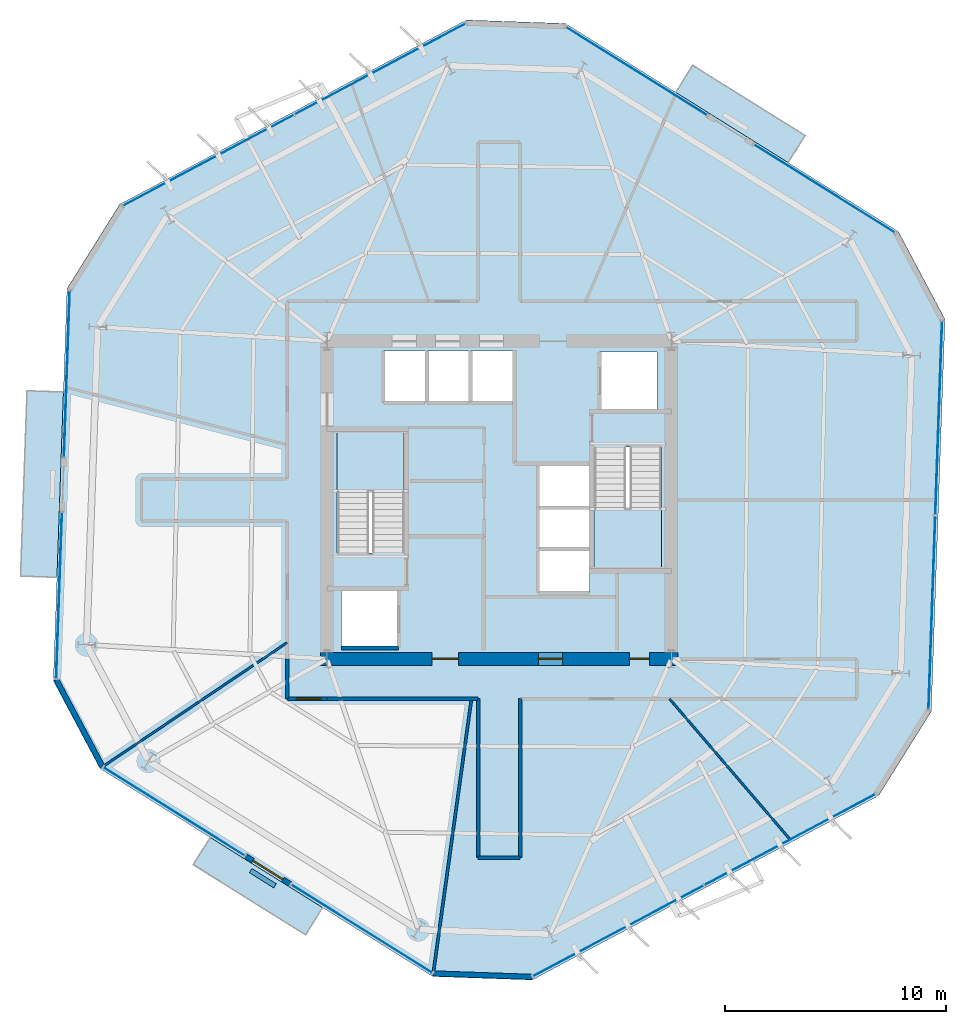
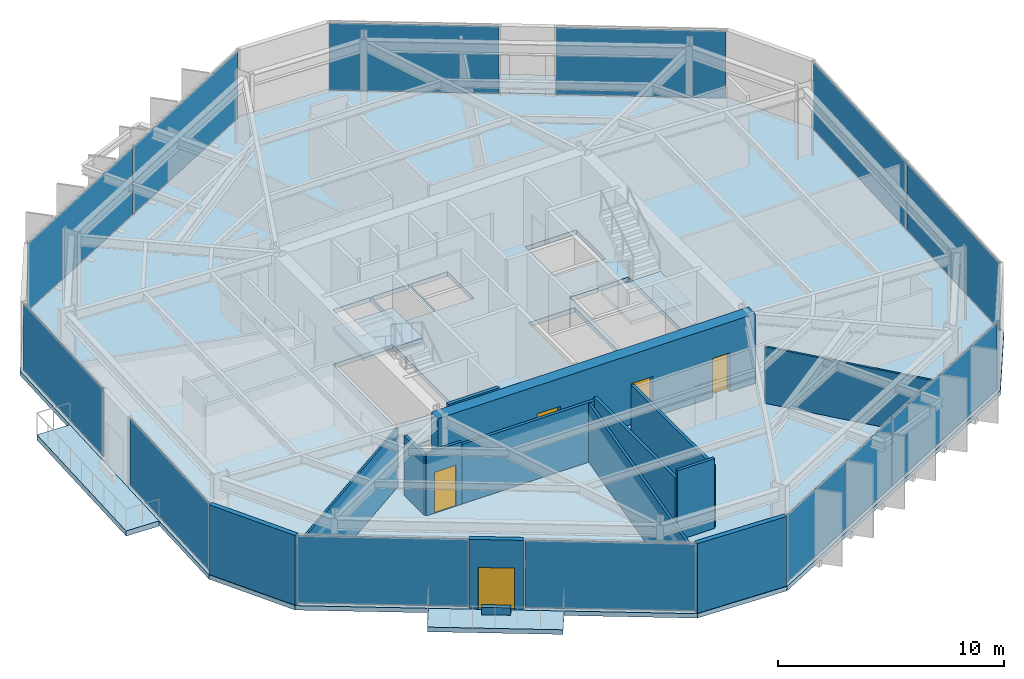
# One storey, part 6 of 12: 15 walls, 12 plates, 6 slabs, 5 doors, 5 openings, 11 elements without a shape of their own.
"""IFC4 building model written with IfcOpenShell, lengths in metres."""

from ifc_helpers import new_model, si_unit, direction, frame, frame_2d, origin, origin_2d, place, context, subcontext, project, spatial, polyline, rectangle, outline, extrude, material, layer, layer_set, type_object, element, fill, aggregate, save


model = new_model("IFC4")

# Units and contexts
model_context = context("Model", 3, precision=1e-05, world=origin(), true_north=direction((0.0, 1.0)))
body_context = subcontext(model_context, "Body", "Model", "MODEL_VIEW")
ifc_project = project(units=[si_unit("LENGTHUNIT", "METRE"), si_unit("AREAUNIT", "SQUARE_METRE"), si_unit("VOLUMEUNIT", "CUBIC_METRE"), si_unit("PLANEANGLEUNIT", "RADIAN"), si_unit("MASSUNIT", "GRAM", prefix="KILO")], contexts=[model_context])

# Site, building, storey
site_placement = place(None, origin())
site = spatial("IfcSite", under=ifc_project, at=site_placement, CompositionType="ELEMENT")
building_placement = place(site_placement, origin())
building = spatial("IfcBuilding", under=site, at=building_placement, Name="Kranzbogen Civic Tower", CompositionType="ELEMENT")
storey_placement = place(building_placement, frame((0.0, 0.0, 134.39990234375)))
storey = spatial("IfcBuildingStorey", under=building, at=storey_placement, Name="L32", CompositionType="ELEMENT", Elevation=134.39990234375)

# Slab
ifc_material_1 = material(Name="Concrete C40/50", Category="concrete")
ifc_layer_1 = layer(ifc_material_1, 0.239990234375, Name="Concrete C40/50")
ifc_layer_set_1 = layer_set([ifc_layer_1], Name="Concrete C40/50")
slab_type_1 = type_object("IfcSlabType", Name="Composite Lower Tower Floor Slab 240 mm", PredefinedType="FLOOR", material=ifc_layer_set_1)
slab_1_placement = place(storey_placement, frame((0.0, 0.0, -0.239990234375)))
element("IfcSlab", 1, at=slab_1_placement, inside=storey, type_object=slab_type_1, Name="L32 tower floor slab", PredefinedType="FLOOR", context=body_context, shape_type="SweptSolid", body=[
    extrude(outline(polyline([(43.0859375, 37.1650390625), (28.0048828125, 46.587890625), (23.508056640625, 46.7451171875), (7.806884765625, 38.39599609375), (5.422119140625, 34.580078125), (4.802001953125, 16.80908203125), (6.9140625, 12.8349609375), (21.9951171875, 3.412109375), (26.491943359375, 3.2548828125), (42.193115234375, 11.60400390625), (44.577880859375, 15.419921875), (45.197998046875, 33.19091796875), (43.0859375, 37.1650390625)]), holes=[polyline([(20.449951171875, 20.89990234375), (20.449951171875, 18.300048828125), (17.85009765625, 18.300048828125), (17.85009765625, 20.89990234375), (20.449951171875, 20.89990234375)]), polyline([(29.10009765625, 22.699951171875), (29.10009765625, 20.800048828125), (26.75, 20.800048828125), (26.75, 22.699951171875), (29.10009765625, 22.699951171875)]), polyline([(29.10009765625, 24.64990234375), (29.10009765625, 22.77490234375), (26.75, 22.77490234375), (26.75, 24.64990234375), (26.75, 24.675048828125), (26.75, 26.550048828125), (29.10009765625, 26.550048828125), (29.10009765625, 24.675048828125), (29.10009765625, 24.64990234375)]), polyline([(30.75, 27.340087890625), (30.75, 27.39990234375), (32.35009765625, 27.39990234375), (32.35009765625, 21.89990234375), (29.300048828125, 21.89990234375), (29.300048828125, 27.340087890625), (30.75, 27.340087890625)]), polyline([(19.25, 22.659912109375), (19.25, 22.60009765625), (17.64990234375, 22.60009765625), (17.64990234375, 28.10009765625), (20.699951171875, 28.10009765625), (20.699951171875, 22.659912109375), (19.25, 22.659912109375)]), polyline([(32.14990234375, 31.699951171875), (32.14990234375, 29.10009765625), (29.550048828125, 29.10009765625), (29.550048828125, 31.699951171875), (32.14990234375, 31.699951171875)]), polyline([(21.64990234375, 31.75), (21.64990234375, 29.39990234375), (19.75, 29.39990234375), (19.75, 31.75), (21.64990234375, 31.75)]), polyline([(23.625, 29.39990234375), (21.72509765625, 29.39990234375), (21.72509765625, 31.75), (23.625, 31.75), (23.625, 29.39990234375)]), polyline([(25.60009765625, 29.39990234375), (23.699951171875, 29.39990234375), (23.699951171875, 31.75), (25.60009765625, 31.75), (25.60009765625, 29.39990234375)])]), origin(), (0.0, 0.0, 1.0), 0.239990234375),
])

# Curtain wall, plate
ifc_material_2 = material(Name="Pale Anodised Aluminium", Category="aluminium")
ifc_layer_2 = layer(ifc_material_2, 0.219970703125, Name="Pale Anodised Aluminium")
ifc_layer_set_2 = layer_set([ifc_layer_2], Name="Pale Anodised Aluminium")
curtain_wall_type = type_object("IfcCurtainWallType", Name="Zone 2 Stick Curtain Wall System CW-03", PredefinedType="USERDEFINED", material=ifc_layer_set_2)
curtain_wall_1_placement = place(storey_placement, origin())
curtain_wall_1 = element("IfcCurtainWall", 2, at=curtain_wall_1_placement, inside=storey, type_object=curtain_wall_type, Name="L32 curtain wall CW-L32-F1-S1", ObjectType="STICK CURTAIN WALL", PredefinedType="USERDEFINED")
ifc_material_3 = material(Name="Low-E Triple Glazing Glass", Category="glass")
ifc_layer_3 = layer(ifc_material_3, 0.031982421875, Name="Low-E Triple Glazing Glass")
ifc_layer_set_3 = layer_set([ifc_layer_3], Name="Low-E Triple Glazing Glass")
plate_type = type_object("IfcPlateType", Name="Insulated Low-E Glazing Panel 32 mm", PredefinedType="CURTAIN_PANEL", material=ifc_layer_set_3)
plate_1_placement = place(storey_placement, frame((39.73291015625, 39.109619140625, 0.06005859375), z_axis=(0.0, 0.0, 1.0), x_axis=(-0.848071889421, 0.529881185148, 0.0)))
plate_1 = element("IfcPlate", 3, at=plate_1_placement, type_object=plate_type, Name="CW-03 panel 1.1", PredefinedType="CURTAIN_PANEL", context=body_context, shape_type="SweptSolid", body=[
    extrude(rectangle(XDim=7.513671875, YDim=0.028076171875, at=origin_2d()), origin(), (0.0, 0.0, 1.0), 3.639892578125),
])
aggregate(curtain_wall_1, [plate_1])

curtain_wall_2_placement = place(storey_placement, origin())
curtain_wall_2 = element("IfcCurtainWall", 4, at=curtain_wall_2_placement, inside=storey, type_object=curtain_wall_type, Name="L32 curtain wall CW-L32-F1-S2", ObjectType="STICK CURTAIN WALL", PredefinedType="USERDEFINED")
plate_2_placement = place(storey_placement, frame((31.223388671875, 44.426513671875, 0.06005859375), z_axis=(0.0, 0.0, 1.0), x_axis=(-0.84810866373, 0.529822323525, 0.0)))
plate_2 = element("IfcPlate", 5, at=plate_2_placement, type_object=plate_type, Name="CW-03 panel 1.1", PredefinedType="CURTAIN_PANEL", context=body_context, shape_type="SweptSolid", body=[
    extrude(rectangle(XDim=7.5146484375, YDim=0.028076171875, at=origin_2d()), origin(), (0.0, 0.0, 1.0), 3.639892578125),
])
aggregate(curtain_wall_2, [plate_2])

# Curtain wall, plates
curtain_wall_3_placement = place(storey_placement, origin())
curtain_wall_3 = element("IfcCurtainWall", 6, at=curtain_wall_3_placement, inside=storey, type_object=curtain_wall_type, Name="L32 curtain wall CW-L32-F2", ObjectType="STICK CURTAIN WALL", PredefinedType="USERDEFINED")
plate_3_placement = place(storey_placement, frame((19.6044921875, 44.524169921875, 0.06005859375), z_axis=(0.0, 0.0, 1.0), x_axis=(-0.882952257691, -0.469462789408, 0.0)))
plate_3 = element("IfcPlate", 7, at=plate_3_placement, type_object=plate_type, Name="CW-03 panel 1.1", PredefinedType="CURTAIN_PANEL", context=body_context, shape_type="SweptSolid", body=[
    extrude(rectangle(XDim=8.74462890625, YDim=0.028076171875, at=origin_2d()), origin(), (0.0, 0.0, 1.0), 3.639892578125),
])
plate_4_placement = place(storey_placement, frame((11.83056640625, 40.390869140625, 0.06005859375), z_axis=(0.0, 0.0, 1.0), x_axis=(-0.882952257691, -0.469462789408, 0.0)))
plate_4 = element("IfcPlate", 8, at=plate_4_placement, type_object=plate_type, Name="CW-03 panel 2.1", PredefinedType="CURTAIN_PANEL", context=body_context, shape_type="SweptSolid", body=[
    extrude(rectangle(XDim=8.74462890625, YDim=0.028076171875, at=origin_2d()), origin(), (0.0, 0.0, 1.0), 3.639892578125),
])
aggregate(curtain_wall_3, [plate_3, plate_4])

# Curtain wall, plate
curtain_wall_4_placement = place(storey_placement, origin())
curtain_wall_4 = element("IfcCurtainWall", 9, at=curtain_wall_4_placement, inside=storey, type_object=curtain_wall_type, Name="L32 curtain wall CW-L32-F3-S1", ObjectType="STICK CURTAIN WALL", PredefinedType="USERDEFINED")
plate_5_placement = place(storey_placement, frame((5.4150390625, 30.70361328125, 0.06005859375), z_axis=(0.0, 0.0, 1.0), x_axis=(-0.034845780392, -0.999392701389, 0.0)))
plate_5 = element("IfcPlate", 10, at=plate_5_placement, type_object=plate_type, Name="CW-03 panel 1.1", PredefinedType="CURTAIN_PANEL", context=body_context, shape_type="SweptSolid", body=[
    extrude(rectangle(XDim=7.513671875, YDim=0.028076171875, at=origin_2d()), origin(), (0.0, 0.0, 1.0), 3.639892578125),
])
aggregate(curtain_wall_4, [plate_5])

curtain_wall_5_placement = place(storey_placement, origin())
curtain_wall_5 = element("IfcCurtainWall", 11, at=curtain_wall_5_placement, inside=storey, type_object=curtain_wall_type, Name="L32 curtain wall CW-L32-F3-S2", ObjectType="STICK CURTAIN WALL", PredefinedType="USERDEFINED")
plate_6_placement = place(storey_placement, frame((5.06494140625, 20.676025390625, 0.06005859375), z_axis=(0.0, 0.0, 1.0), x_axis=(-0.034850342982, -0.999392542295, 0.0)))
plate_6 = element("IfcPlate", 12, at=plate_6_placement, type_object=plate_type, Name="CW-03 panel 1.1", PredefinedType="CURTAIN_PANEL", context=body_context, shape_type="SweptSolid", body=[
    extrude(rectangle(XDim=7.5126953125, YDim=0.028076171875, at=origin_2d()), origin(), (0.0, 0.0, 1.0), 3.639892578125),
])
aggregate(curtain_wall_5, [plate_6])

curtain_wall_6_placement = place(storey_placement, origin())
curtain_wall_6 = element("IfcCurtainWall", 13, at=curtain_wall_6_placement, inside=storey, type_object=curtain_wall_type, Name="L32 curtain wall CW-L32-F4-S1", ObjectType="STICK CURTAIN WALL", PredefinedType="USERDEFINED")
plate_7_placement = place(storey_placement, frame((10.26708984375, 10.890380859375, 0.06005859375), z_axis=(0.0, 0.0, 1.0), x_axis=(0.848071889421, -0.529881185148, 0.0)))
plate_7 = element("IfcPlate", 14, at=plate_7_placement, type_object=plate_type, Name="CW-03 panel 1.1", PredefinedType="CURTAIN_PANEL", context=body_context, shape_type="SweptSolid", body=[
    extrude(rectangle(XDim=7.513671875, YDim=0.028076171875, at=origin_2d()), origin(), (0.0, 0.0, 1.0), 3.639892578125),
])
aggregate(curtain_wall_6, [plate_7])

curtain_wall_7_placement = place(storey_placement, origin())
curtain_wall_7 = element("IfcCurtainWall", 15, at=curtain_wall_7_placement, inside=storey, type_object=curtain_wall_type, Name="L32 curtain wall CW-L32-F4-S2", ObjectType="STICK CURTAIN WALL", PredefinedType="USERDEFINED")
plate_8_placement = place(storey_placement, frame((18.776611328125, 5.573486328125, 0.06005859375), z_axis=(0.0, 0.0, 1.0), x_axis=(0.84810866373, -0.529822323525, 0.0)))
plate_8 = element("IfcPlate", 16, at=plate_8_placement, type_object=plate_type, Name="CW-03 panel 1.1", PredefinedType="CURTAIN_PANEL", context=body_context, shape_type="SweptSolid", body=[
    extrude(rectangle(XDim=7.5146484375, YDim=0.028076171875, at=origin_2d()), origin(), (0.0, 0.0, 1.0), 3.639892578125),
])
aggregate(curtain_wall_7, [plate_8])

# Curtain wall, plates
curtain_wall_8_placement = place(storey_placement, origin())
curtain_wall_8 = element("IfcCurtainWall", 17, at=curtain_wall_8_placement, inside=storey, type_object=curtain_wall_type, Name="L32 curtain wall CW-L32-F5", ObjectType="STICK CURTAIN WALL", PredefinedType="USERDEFINED")
plate_9_placement = place(storey_placement, frame((30.3955078125, 5.475830078125, 0.06005859375), z_axis=(0.0, 0.0, 1.0), x_axis=(0.882952257691, 0.469462789408, 0.0)))
plate_9 = element("IfcPlate", 18, at=plate_9_placement, type_object=plate_type, Name="CW-03 panel 1.1", PredefinedType="CURTAIN_PANEL", context=body_context, shape_type="SweptSolid", body=[
    extrude(rectangle(XDim=8.74462890625, YDim=0.028076171875, at=origin_2d()), origin(), (0.0, 0.0, 1.0), 3.639892578125),
])
plate_10_placement = place(storey_placement, frame((38.16943359375, 9.609130859375, 0.06005859375), z_axis=(0.0, 0.0, 1.0), x_axis=(0.882952257691, 0.469462789408, 0.0)))
plate_10 = element("IfcPlate", 19, at=plate_10_placement, type_object=plate_type, Name="CW-03 panel 2.1", PredefinedType="CURTAIN_PANEL", context=body_context, shape_type="SweptSolid", body=[
    extrude(rectangle(XDim=8.74462890625, YDim=0.028076171875, at=origin_2d()), origin(), (0.0, 0.0, 1.0), 3.639892578125),
])
aggregate(curtain_wall_8, [plate_9, plate_10])

curtain_wall_9_placement = place(storey_placement, origin())
curtain_wall_9 = element("IfcCurtainWall", 20, at=curtain_wall_9_placement, inside=storey, type_object=curtain_wall_type, Name="L32 curtain wall CW-L32-F6", ObjectType="STICK CURTAIN WALL", PredefinedType="USERDEFINED")
plate_11_placement = place(storey_placement, frame((44.6064453125, 19.910888671875, 0.06005859375), z_axis=(0.0, 0.0, 1.0), x_axis=(0.034867774782, 0.999391934269, 0.0)))
plate_11 = element("IfcPlate", 21, at=plate_11_placement, type_object=plate_type, Name="CW-03 panel 1.1", PredefinedType="CURTAIN_PANEL", context=body_context, shape_type="SweptSolid", body=[
    extrude(rectangle(XDim=8.743408203125, YDim=0.028076171875, at=origin_2d()), origin(), (0.0, 0.0, 1.0), 3.639892578125),
])
plate_12_placement = place(storey_placement, frame((44.91357421875, 28.708984375, 0.06005859375), z_axis=(0.0, 0.0, 1.0), x_axis=(0.034867774782, 0.999391934269, 0.0)))
plate_12 = element("IfcPlate", 22, at=plate_12_placement, type_object=plate_type, Name="CW-03 panel 2.1", PredefinedType="CURTAIN_PANEL", context=body_context, shape_type="SweptSolid", body=[
    extrude(rectangle(XDim=8.743408203125, YDim=0.028076171875, at=origin_2d()), origin(), (0.0, 0.0, 1.0), 3.639892578125),
])
aggregate(curtain_wall_9, [plate_11, plate_12])

# Stair, slab
ifc_material_4 = material(Name="Precast concrete C40/50", Category="concrete")
stair_type_1 = type_object("IfcStairType", Name="Tower Core Pressurized Dogleg Stair 1450", PredefinedType="HALF_TURN_STAIR", material=ifc_material_4)
stair_1_placement = place(storey_placement, origin())
stair_1 = element("IfcStair", 23, at=stair_1_placement, inside=storey, type_object=stair_type_1, Name="L32 Tower Core Pressurized Stair 1", PredefinedType="HALF_TURN_STAIR")
ifc_layer_4 = layer(ifc_material_4, 0.199951171875, Name="Precast concrete C40/50")
ifc_layer_set_4 = layer_set([ifc_layer_4], Name="Precast concrete C40/50")
slab_type_2 = type_object("IfcSlabType", Name="Precast Concrete Stair Landing Slab 200 mm", PredefinedType="LANDING", material=ifc_layer_set_4)
slab_2_placement = place(storey_placement, frame((0.0, 0.0, 1.800048828125)))
slab_2 = element("IfcSlab", 24, at=slab_2_placement, type_object=slab_type_2, Name="ST-T1 landing 1", PredefinedType="LANDING", context=body_context, shape_type="SweptSolid", body=[
    extrude(outline(polyline([(20.699951171875, 25.39990234375), (20.699951171875, 28.10009765625), (17.64990234375, 28.10009765625), (17.64990234375, 25.39990234375), (20.699951171875, 25.39990234375)])), origin(), (0.0, 0.0, 1.0), 0.199951171875),
])
aggregate(stair_1, [slab_2])

stair_type_2 = type_object("IfcStairType", Name="Tower Core Secondary Dogleg Stair 1450", PredefinedType="HALF_TURN_STAIR", material=ifc_material_4)
stair_2_placement = place(storey_placement, origin())
stair_2 = element("IfcStair", 25, at=stair_2_placement, inside=storey, type_object=stair_type_2, Name="L32 Tower Core Pressurized Stair 2", PredefinedType="HALF_TURN_STAIR")
slab_3_placement = place(storey_placement, frame((0.0, 0.0, 1.800048828125)))
slab_3 = element("IfcSlab", 26, at=slab_3_placement, type_object=slab_type_2, Name="ST-T2 landing 1", PredefinedType="LANDING", context=body_context, shape_type="SweptSolid", body=[
    extrude(outline(polyline([(29.300048828125, 24.60009765625), (29.300048828125, 21.89990234375), (32.35009765625, 21.89990234375), (32.35009765625, 24.60009765625), (29.300048828125, 24.60009765625)])), origin(), (0.0, 0.0, 1.0), 0.199951171875),
])
aggregate(stair_2, [slab_3])

# Slabs
ifc_layer_5 = layer(ifc_material_1, 0.280029296875, Name="Concrete C40/50")
ifc_layer_set_5 = layer_set([ifc_layer_5], Name="Concrete C40/50")
slab_type_3 = type_object("IfcSlabType", Name="Spiral Terrace Cantilevered Slab 280 mm", PredefinedType="FLOOR", material=ifc_layer_set_5)
slab_4_placement = place(storey_placement, frame((0.0, 0.0, -0.27978515625)))
element("IfcSlab", 27, at=slab_4_placement, inside=storey, type_object=slab_type_3, Name="L32 cantilevered spiral terrace L32-ST", PredefinedType="FLOOR", context=body_context, shape_type="SweptSolid", body=[
    extrude(outline(polyline([(5.259033203125, 29.89208984375), (4.966064453125, 21.4970703125), (3.31689453125, 21.554931640625), (3.610107421875, 29.949951171875), (5.259033203125, 29.89208984375)])), origin(), (0.0, 0.0, 1.0), 0.27978515625),
])
ifc_layer_6 = layer(ifc_material_1, 0.25, Name="Concrete C40/50")
ifc_layer_set_6 = layer_set([ifc_layer_6], Name="Concrete C40/50")
slab_type_4 = type_object("IfcSlabType", Name="Tree Balcony Cantilevered Slab 250 mm", PredefinedType="FLOOR", material=ifc_layer_set_6)
slab_5_placement = place(storey_placement, frame((0.0, 0.0, -0.25)))
element("IfcSlab", 28, at=slab_5_placement, inside=storey, type_object=slab_type_4, Name="L32 cantilevered tree balcony L32-TB1", PredefinedType="FLOOR", context=body_context, shape_type="SweptSolid", body=[
    extrude(outline(polyline([(38.090087890625, 40.285888671875), (33.0009765625, 43.466064453125), (33.76904296875, 44.696044921875), (38.85791015625, 41.51611328125), (38.090087890625, 40.285888671875)])), origin(), (0.0, 0.0, 1.0), 0.25),
])
slab_6_placement = place(storey_placement, frame((0.0, 0.0, -0.25)))
element("IfcSlab", 29, at=slab_6_placement, inside=storey, type_object=slab_type_4, Name="L32 cantilevered tree balcony L32-TB2", PredefinedType="FLOOR", context=body_context, shape_type="SweptSolid", body=[
    extrude(outline(polyline([(11.909912109375, 9.714111328125), (16.9990234375, 6.533935546875), (16.23095703125, 5.303955078125), (11.14208984375, 8.48388671875), (11.909912109375, 9.714111328125)])), origin(), (0.0, 0.0, 1.0), 0.25),
])

# Wall, opening, door
ifc_material_5 = material(Name="Double-Stud Acoustic Gypsum Partition")
ifc_layer_7 = layer(ifc_material_5, 0.14990234375, Name="Double-Stud Acoustic Gypsum Partition")
ifc_layer_set_7 = layer_set([ifc_layer_7], Name="Double-Stud Acoustic Gypsum Partition")
wall_type_1 = type_object("IfcWallType", Name="Acoustic Corridor and Clinical Partition 150 mm", PredefinedType="PARTITIONING", material=ifc_layer_set_7)
wall_1_placement = place(storey_placement, frame((17.199951171875, 16.0, 0.0), z_axis=(0.0, 0.0, 1.0), x_axis=(-1.0, 0.0, 0.0)))
wall_1 = element("IfcWall", 30, at=wall_1_placement, inside=storey, type_object=wall_type_1, Name="L32 corridor partition 01", PredefinedType="PARTITIONING", context=body_context, shape_type="SweptSolid", body=[
    extrude(rectangle(XDim=1.800048828125, YDim=0.14990234375, at=frame_2d((0.89990234375, 0.0))), origin(), (0.0, 0.0, 1.0), 3.360107421875),
])
opening_1_placement = place(wall_1_placement, frame((0.287109375, 0.0, 0.0)))
opening_1 = element("IfcOpeningElement", 31, at=opening_1_placement, cuts=wall_1, Name="Opening D-COR60", PredefinedType="OPENING", context=body_context, shape_type="SweptSolid", body=[
    extrude(rectangle(XDim=1.10009765625, YDim=2.199951171875, at=frame_2d((0.550048828125, 1.10009765625))), frame((0.0, 0.0849609375, 0.0), z_axis=(0.0, -1.0, 0.0), x_axis=(1.0, 0.0, 0.0)), (0.0, 0.0, 1.0), 0.169921875),
])
ifc_material_6 = material(Name="Oak Timber and Fire Core", Category="wood")
door_type_1 = type_object("IfcDoorType", Name="Corridor Acoustic Fire Door 1100x2200", OperationType="NOTDEFINED", PredefinedType="DOOR", material=ifc_material_6)
door_1_placement = place(opening_1_placement, origin())
door_1 = element("IfcDoor", 32, at=door_1_placement, inside=storey, type_object=door_type_1, Name="L32 Parliamentary Review Boardroom door", OperationType="SINGLE_SWING_RIGHT", OverallHeight=2.199951171875, OverallWidth=1.10009765625, PredefinedType="DOOR", context=body_context, shape_type="SweptSolid", body=[
    extrude(rectangle(XDim=1.10009765625, YDim=2.199951171875, at=frame_2d((0.550048828125, 1.10009765625))), frame((0.0, 0.02490234375, 0.0), z_axis=(0.0, -1.0, 0.0), x_axis=(1.0, 0.0, 0.0)), (0.0, 0.0, 1.0), 0.050048828125),
])
fill(opening_1, door_1)

# Walls
wall_2_placement = place(storey_placement, frame((15.39990234375, 16.0, 0.0), z_axis=(0.0, 0.0, 1.0), x_axis=(0.0, 1.0, 0.0)))
element("IfcWall", 33, at=wall_2_placement, inside=storey, type_object=wall_type_1, Name="L32 corridor partition 02", PredefinedType="PARTITIONING", context=body_context, shape_type="SweptSolid", body=[
    extrude(rectangle(XDim=1.800048828125, YDim=0.14990234375, at=frame_2d((0.89990234375, 0.0))), origin(), (0.0, 0.0, 1.0), 3.210205078125),
])
wall_3_placement = place(storey_placement, frame((25.949951171875, 16.0, 0.0), z_axis=(0.0, 0.0, 1.0), x_axis=(0.0, -1.0, 0.0)))
element("IfcWall", 34, at=wall_3_placement, inside=storey, type_object=wall_type_1, Name="L32 corridor partition 20", PredefinedType="PARTITIONING", context=body_context, shape_type="SweptSolid", body=[
    extrude(rectangle(XDim=7.199951171875, YDim=0.14990234375, at=frame_2d((3.60009765625, 0.0))), origin(), (0.0, 0.0, 1.0), 3.360107421875),
])
wall_4_placement = place(storey_placement, frame((25.949951171875, 8.800048828125, 0.0), z_axis=(0.0, 0.0, 1.0), x_axis=(-1.0, 0.0, 0.0)))
element("IfcWall", 35, at=wall_4_placement, inside=storey, type_object=wall_type_1, Name="L32 corridor partition 21", PredefinedType="PARTITIONING", context=body_context, shape_type="SweptSolid", body=[
    extrude(rectangle(XDim=1.89990234375, YDim=0.14990234375, at=frame_2d((0.949951171875, 0.0))), origin(), (0.0, 0.0, 1.0), 3.760009765625),
])
wall_5_placement = place(storey_placement, frame((24.050048828125, 8.800048828125, 0.0), z_axis=(0.0, 0.0, 1.0), x_axis=(0.0, 1.0, 0.0)))
element("IfcWall", 36, at=wall_5_placement, inside=storey, type_object=wall_type_1, Name="L32 corridor partition 22", PredefinedType="PARTITIONING", context=body_context, shape_type="SweptSolid", body=[
    extrude(rectangle(XDim=7.199951171875, YDim=0.14990234375, at=frame_2d((3.60009765625, 0.0))), origin(), (0.0, 0.0, 1.0), 3.360107421875),
])
wall_6_placement = place(storey_placement, frame((24.050048828125, 16.0, 0.0), z_axis=(0.0, 0.0, 1.0), x_axis=(-1.0, 0.0, 0.0)))
element("IfcWall", 37, at=wall_6_placement, inside=storey, type_object=wall_type_1, Name="L32 corridor partition 23", PredefinedType="PARTITIONING", context=body_context, shape_type="SweptSolid", body=[
    extrude(rectangle(XDim=6.85009765625, YDim=0.14990234375, at=frame_2d((3.425048828125, 0.0))), origin(), (0.0, 0.0, 1.0), 3.210205078125),
])
ifc_material_7 = material(Name="Insulated Metal-Stud Gypsum Partition")
ifc_layer_8 = layer(ifc_material_7, 0.125, Name="Insulated Metal-Stud Gypsum Partition")
ifc_layer_set_8 = layer_set([ifc_layer_8], Name="Insulated Metal-Stud Gypsum Partition")
wall_type_2 = type_object("IfcWallType", Name="Acoustic Inter-Room Partition 125 mm", PredefinedType="PARTITIONING", material=ifc_layer_set_8)
wall_7_placement = place(storey_placement, frame((23.7470703125, 16.0, 0.0), z_axis=(0.0, 0.0, 1.0), x_axis=(-0.137839255744, -0.990454612577, 0.0)))
element("IfcWall", 38, at=wall_7_placement, inside=storey, type_object=wall_type_2, Name="L32 radial room partition 05", PredefinedType="PARTITIONING", context=body_context, shape_type="SweptSolid", body=[
    extrude(rectangle(XDim=12.55078125, YDim=0.125, at=frame_2d((6.275390625, 0.0))), origin(), (0.0, 0.0, 1.0), 3.16015625),
])
ifc_material_8 = material(Name="Architectural Precast Terracotta Concrete C40/50", Category="masonry")
ifc_layer_9 = layer(ifc_material_8, 0.219970703125, Name="Architectural Precast Terracotta Concrete C40/50")
ifc_layer_set_9 = layer_set([ifc_layer_9], Name="Architectural Precast Terracotta Concrete C40/50")
wall_type_3 = type_object("IfcWallType", Name="Architectural Tree Planter Kerb Wall 220 mm", PredefinedType="USERDEFINED", material=ifc_layer_set_9)
wall_8_placement = place(storey_placement, frame((13.741943359375, 8.2099609375, 0.0), z_axis=(0.0, 0.0, 1.0), x_axis=(0.848272680747, -0.52955968417, 0.0)))
element("IfcWall", 39, at=wall_8_placement, inside=storey, type_object=wall_type_3, Name="L32 landscaped tree balcony planter L32-TB2", ObjectType="PLANTER_WALL", PredefinedType="USERDEFINED", context=body_context, shape_type="SweptSolid", body=[
    extrude(rectangle(XDim=1.299072265625, YDim=0.219970703125, at=frame_2d((0.6494140625, 0.0))), origin(), (0.0, 0.0, 1.0), 0.400146484375),
])

# Wall, openings, doors
ifc_material_9 = material(Name="Concrete C55/67", Category="concrete")
ifc_layer_10 = layer(ifc_material_9, 0.60009765625, Name="Concrete C55/67")
ifc_layer_set_10 = layer_set([ifc_layer_10], Name="Concrete C55/67")
wall_type_4 = type_object("IfcWallType", Name="Central Core Shear Wall 600 mm", PredefinedType="SHEAR", material=ifc_layer_set_10)
wall_9_placement = place(storey_placement, frame((16.89990234375, 17.800048828125, 0.0), z_axis=(0.0, 0.0, 1.0), x_axis=(1.0, 0.0, 0.0)))
wall_9 = element("IfcWall", 40, at=wall_9_placement, inside=storey, type_object=wall_type_4, Name="L32 central core South shear wall", PredefinedType="SHEAR", context=body_context, shape_type="SweptSolid", body=[
    extrude(rectangle(XDim=16.2001953125, YDim=0.60009765625, at=frame_2d((8.10009765625, 0.0))), origin(), (0.0, 0.0, 1.0), 3.760009765625),
])
opening_2_placement = place(wall_9_placement, frame((5.050048828125, 0.0, 0.0)))
opening_2 = element("IfcOpeningElement", 41, at=opening_2_placement, cuts=wall_9, Name="Opening D-EX120", PredefinedType="OPENING", context=body_context, shape_type="SweptSolid", body=[
    extrude(rectangle(XDim=1.199951171875, YDim=2.25, at=frame_2d((0.60009765625, 1.125))), frame((0.0, 0.31005859375, 0.0), z_axis=(0.0, -1.0, 0.0), x_axis=(1.0, 0.0, 0.0)), (0.0, 0.0, 1.0), 0.6201171875),
])
opening_3_placement = place(wall_9_placement, frame((14.0, 0.0, 0.0)))
opening_3 = element("IfcOpeningElement", 42, at=opening_3_placement, cuts=wall_9, Name="Opening D-WC90", PredefinedType="OPENING", context=body_context, shape_type="SweptSolid", body=[
    extrude(rectangle(XDim=0.89990234375, YDim=2.10009765625, at=frame_2d((0.449951171875, 1.050048828125))), frame((0.0, 0.31005859375, 0.0), z_axis=(0.0, -1.0, 0.0), x_axis=(1.0, 0.0, 0.0)), (0.0, 0.0, 1.0), 0.6201171875),
])
opening_4_placement = place(wall_9_placement, frame((9.875, 0.0, 0.0)))
opening_4 = element("IfcOpeningElement", 43, at=opening_4_placement, cuts=wall_9, Name="Opening D-COR60", PredefinedType="OPENING", context=body_context, shape_type="SweptSolid", body=[
    extrude(rectangle(XDim=1.10009765625, YDim=2.199951171875, at=frame_2d((0.550048828125, 1.10009765625))), frame((0.0, 0.31005859375, 0.0), z_axis=(0.0, -1.0, 0.0), x_axis=(1.0, 0.0, 0.0)), (0.0, 0.0, 1.0), 0.6201171875),
])
door_2_placement = place(opening_4_placement, origin())
door_2 = element("IfcDoor", 44, at=door_2_placement, inside=storey, type_object=door_type_1, Name="L32 REC1 archive room door", OperationType="SINGLE_SWING_RIGHT", OverallHeight=2.199951171875, OverallWidth=1.10009765625, PredefinedType="DOOR", context=body_context, shape_type="SweptSolid", body=[
    extrude(rectangle(XDim=1.10009765625, YDim=2.199951171875, at=frame_2d((0.550048828125, 1.10009765625))), frame((0.0, 0.02490234375, 0.0), z_axis=(0.0, -1.0, 0.0), x_axis=(1.0, 0.0, 0.0)), (0.0, 0.0, 1.0), 0.050048828125),
])
fill(opening_4, door_2)
ifc_material_10 = material(Name="Steel S355", Category="steel")
door_type_2 = type_object("IfcDoorType", Name="Exit Passageway Fire Door 1200x2250", OperationType="NOTDEFINED", PredefinedType="DOOR", material=ifc_material_10)
door_3_placement = place(opening_2_placement, origin())
door_3 = element("IfcDoor", 45, at=door_3_placement, inside=storey, type_object=door_type_2, Name="L32 West firefighting lobby corridor door", OperationType="SINGLE_SWING_LEFT", OverallHeight=2.25, OverallWidth=1.199951171875, PredefinedType="DOOR", context=body_context, shape_type="SweptSolid", body=[
    extrude(rectangle(XDim=1.199951171875, YDim=2.25, at=frame_2d((0.60009765625, 1.125))), frame((0.0, 0.02490234375, 0.0), z_axis=(0.0, -1.0, 0.0), x_axis=(1.0, 0.0, 0.0)), (0.0, 0.0, 1.0), 0.050048828125),
])
fill(opening_2, door_3)
ifc_material_11 = material(Name="Moisture-Resistant Laminate")
door_type_3 = type_object("IfcDoorType", Name="Standard Restroom and Store Door 900x2100", OperationType="NOTDEFINED", PredefinedType="DOOR", material=ifc_material_11)
door_4_placement = place(opening_3_placement, origin())
door_4 = element("IfcDoor", 46, at=door_4_placement, inside=storey, type_object=door_type_3, Name="L32 East electrical riser access door", OperationType="SINGLE_SWING_LEFT", OverallHeight=2.10009765625, OverallWidth=0.89990234375, PredefinedType="DOOR", context=body_context, shape_type="SweptSolid", body=[
    extrude(rectangle(XDim=0.89990234375, YDim=2.10009765625, at=frame_2d((0.449951171875, 1.050048828125))), frame((0.0, 0.02490234375, 0.0), z_axis=(0.0, -1.0, 0.0), x_axis=(1.0, 0.0, 0.0)), (0.0, 0.0, 1.0), 0.050048828125),
])
fill(opening_3, door_4)

# Walls
ifc_material_12 = material(Name="Demountable Aluminium and Gypsum Partition", Category="aluminium")
ifc_layer_11 = layer(ifc_material_12, 0.10009765625, Name="Demountable Aluminium and Gypsum Partition")
ifc_layer_set_11 = layer_set([ifc_layer_11], Name="Demountable Aluminium and Gypsum Partition")
wall_type_5 = type_object("IfcWallType", Name="Demountable Office Partition 100 mm", PredefinedType="MOVABLE", material=ifc_layer_set_11)
wall_10_placement = place(storey_placement, frame((15.39990234375, 18.54296875, 0.0), z_axis=(0.0, 0.0, 1.0), x_axis=(-0.829771318012, -0.558103538607, 0.0)))
element("IfcWall", 47, at=wall_10_placement, inside=storey, type_object=wall_type_5, Name="L32 radial room partition 04", PredefinedType="MOVABLE", context=body_context, shape_type="SweptSolid", body=[
    extrude(rectangle(XDim=10.06787109375, YDim=0.10009765625, at=frame_2d((5.033935546875, 0.0))), origin(), (0.0, 0.0, 1.0), 3.16015625),
])
wall_11_placement = place(storey_placement, frame((32.7119140625, 16.0, 0.0), z_axis=(0.0, 0.0, 1.0), x_axis=(0.650714678519, -0.759322334164, 0.0)))
element("IfcWall", 48, at=wall_11_placement, inside=storey, type_object=wall_type_5, Name="L32 radial room partition 06", PredefinedType="MOVABLE", context=body_context, shape_type="SweptSolid", body=[
    extrude(rectangle(XDim=8.38916015625, YDim=0.10009765625, at=frame_2d((4.194580078125, 0.0))), origin(), (0.0, 0.0, 1.0), 3.050048828125),
])
ifc_material_13 = material(Name="Gypsum Fireboard Shaftliner")
ifc_layer_12 = layer(ifc_material_13, 0.175048828125, Name="Gypsum Fireboard Shaftliner")
ifc_layer_set_12 = layer_set([ifc_layer_12], Name="Gypsum Fireboard Shaftliner")
wall_type_6 = type_object("IfcWallType", Name="Fire-Rated Lift and Service Shaft Wall 175 mm", PredefinedType="PARTITIONING", material=ifc_layer_set_12)
wall_12_placement = place(storey_placement, frame((17.85009765625, 18.300048828125, 0.0), z_axis=(0.0, 0.0, 1.0), x_axis=(1.0, 0.0, 0.0)))
element("IfcWall", 49, at=wall_12_placement, inside=storey, type_object=wall_type_6, Name="L32 lift FF-01 side wall", PredefinedType="PARTITIONING", context=body_context, shape_type="SweptSolid", body=[
    extrude(rectangle(XDim=2.599853515625, YDim=0.175048828125, at=frame_2d((1.2998046875, 0.0))), origin(), (0.0, 0.0, 1.0), 3.760009765625),
])
ifc_layer_13 = layer(ifc_material_2, 0.239990234375, Name="Pale Anodised Aluminium")
ifc_layer_set_13 = layer_set([ifc_layer_13], Name="Pale Anodised Aluminium")
wall_type_7 = type_object("IfcWallType", Name="Insulated Aluminium Facade Portal Wall 240 mm", PredefinedType="STANDARD", material=ifc_layer_set_13)
wall_13_placement = place(storey_placement, frame((4.931884765625, 16.862060546875, 0.0), z_axis=(0.0, 0.0, 1.0), x_axis=(0.46919913514, -0.883092391307, 0.0)))
element("IfcWall", 50, at=wall_13_placement, inside=storey, type_object=wall_type_7, Name="L32 chamfered corner facade spandrel 3", PredefinedType="STANDARD", context=body_context, shape_type="SweptSolid", body=[
    extrude(rectangle(XDim=4.4716796875, YDim=0.239990234375, at=frame_2d((2.23583984375, 0.0))), origin(), (0.0, 0.0, 1.0), 3.760009765625),
])

# Wall, opening, door
wall_14_placement = place(storey_placement, frame((13.50390625, 8.867919921875, 0.0), z_axis=(0.0, 0.0, 1.0), x_axis=(0.847998304005, -0.529998940003, 0.0)))
wall_14 = element("IfcWall", 51, at=wall_14_placement, inside=storey, type_object=wall_type_7, Name="L32 exterior entrance portal wall 1", PredefinedType="STANDARD", context=body_context, shape_type="SweptSolid", body=[
    extrude(rectangle(XDim=2.39990234375, YDim=0.239990234375, at=frame_2d((1.199951171875, 0.0))), origin(), (0.0, 0.0, 1.0), 3.760009765625),
])
opening_5_placement = place(wall_14_placement, frame((0.39990234375, 0.0, 0.0)))
opening_5 = element("IfcOpeningElement", 52, at=opening_5_placement, cuts=wall_14, Name="Opening D-TER", PredefinedType="OPENING", context=body_context, shape_type="SweptSolid", body=[
    extrude(rectangle(XDim=1.60009765625, YDim=2.25, at=frame_2d((0.800048828125, 1.125))), frame((0.0, 0.1298828125, 0.0), z_axis=(0.0, -1.0, 0.0), x_axis=(1.0, 0.0, 0.0)), (0.0, 0.0, 1.0), 0.260009765625),
])
ifc_material_14 = material(Name="Anodised Bronze and Triple Glass", Category="glass")
door_type_4 = type_object("IfcDoorType", Name="Glazed Terrace and Balcony Double Door 1600x2250", OperationType="DOUBLE_DOOR_SINGLE_SWING", PredefinedType="DOOR", material=ifc_material_14)
door_5_placement = place(opening_5_placement, frame((1.60009765625, 0.0, 0.0), z_axis=(0.0, 0.0, 1.0), x_axis=(-1.0, 0.0, 0.0)))
door_5 = element("IfcDoor", 53, at=door_5_placement, inside=storey, type_object=door_type_4, Name="L32 tree balcony access door L32-TB2", OperationType="DOUBLE_DOOR_SINGLE_SWING", OverallHeight=2.25, OverallWidth=1.60009765625, PredefinedType="DOOR", context=body_context, shape_type="SweptSolid", body=[
    extrude(rectangle(XDim=1.60009765625, YDim=2.25, at=frame_2d((0.800048828125, 1.125))), frame((0.0, 0.02490234375, 0.0), z_axis=(0.0, -1.0, 0.0), x_axis=(1.0, 0.0, 0.0)), (0.0, 0.0, 1.0), 0.050048828125),
])
fill(opening_5, door_5)

# Wall
wall_15_placement = place(storey_placement, frame((22.013916015625, 3.551025390625, 0.0), z_axis=(0.0, 0.0, 1.0), x_axis=(0.999390988908, -0.034894860495, 0.0)))
element("IfcWall", 54, at=wall_15_placement, inside=storey, type_object=wall_type_7, Name="L32 chamfered corner facade spandrel 4", PredefinedType="STANDARD", context=body_context, shape_type="SweptSolid", body=[
    extrude(rectangle(XDim=4.470703125, YDim=0.239990234375, at=frame_2d((2.2353515625, 0.0))), origin(), (0.0, 0.0, 1.0), 3.760009765625),
])

save(model, "model.ifc")
